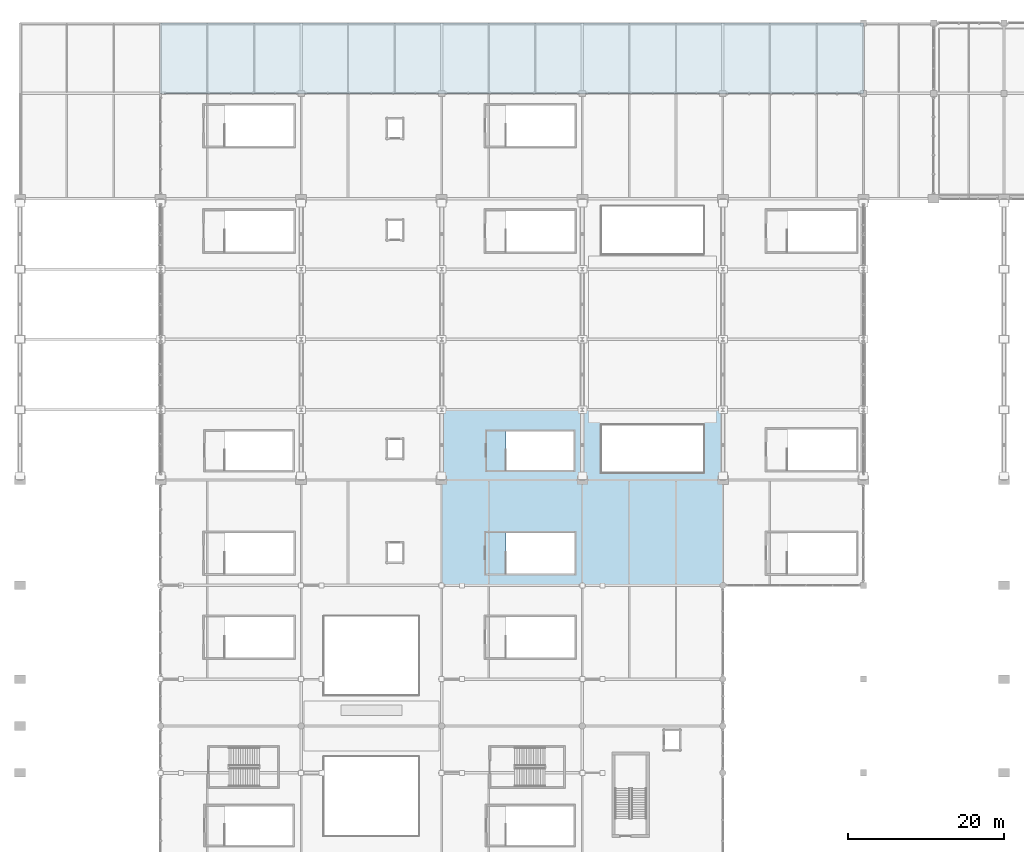
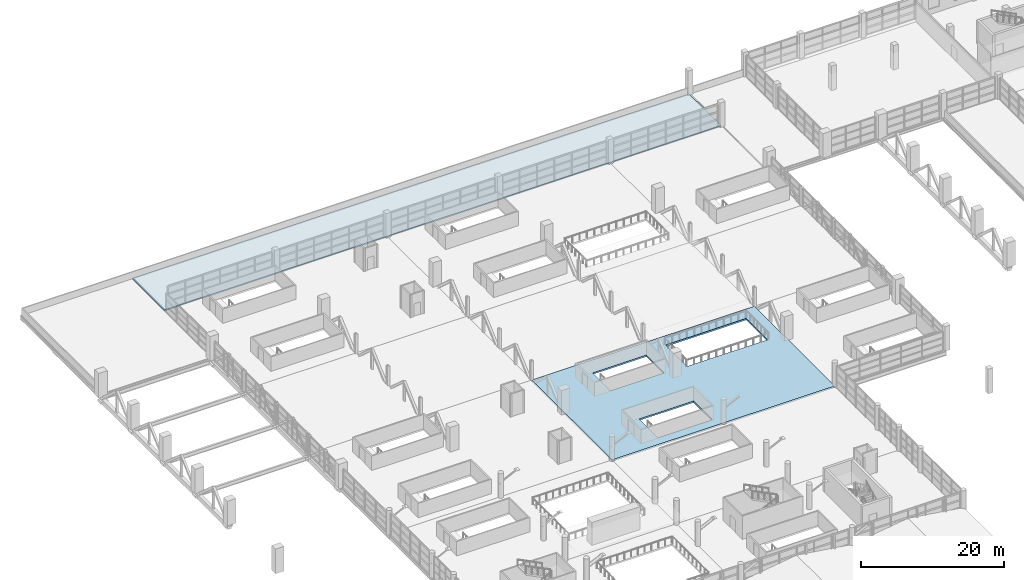
# One storey, part 105 of 136: 2 slabs.
"""IFC4 building model written with IfcOpenShell, lengths in metres."""

from ifc_helpers import new_model, si_unit, direction, frame, origin, place, context, subcontext, project, spatial, polyline, outline, extrude, material, layer, layer_set, type_object, element, save


model = new_model("IFC4")

# Units and contexts
model_context = context("Model", 3, precision=1e-05, world=origin(), true_north=direction((0.0, 1.0)))
body_context = subcontext(model_context, "Body", "Model", "MODEL_VIEW")
ifc_project = project(units=[si_unit("LENGTHUNIT", "METRE"), si_unit("AREAUNIT", "SQUARE_METRE"), si_unit("VOLUMEUNIT", "CUBIC_METRE"), si_unit("PLANEANGLEUNIT", "RADIAN"), si_unit("MASSUNIT", "GRAM", prefix="KILO")], contexts=[model_context])

# Site, building, storey
site_placement = place(None, origin())
site = spatial("IfcSite", under=ifc_project, at=site_placement, CompositionType="ELEMENT")
building_placement = place(site_placement, origin())
building = spatial("IfcBuilding", under=site, at=building_placement, Name="Chuanluo Vaults Station", CompositionType="ELEMENT")
storey_placement = place(building_placement, frame((0.0, 0.0, 6.60009765625)))
storey = spatial("IfcBuildingStorey", under=building, at=storey_placement, Name="L01", CompositionType="ELEMENT", Elevation=6.60009765625)

# Slabs
ifc_material_1 = material(Name="Concrete C40", Category="concrete")
ifc_layer_1 = layer(ifc_material_1, 0.280029296875)
ifc_layer_set_1 = layer_set([ifc_layer_1], Name="Concrete C40")
slab_type_1 = type_object("IfcSlabType", Name="SLB-CON-280", PredefinedType="FLOOR", material=ifc_layer_set_1)
slab_1_placement = place(storey_placement, frame((0.0, 0.0, -0.280029296875)))
element("IfcSlab", 1, at=slab_1_placement, inside=storey, type_object=slab_type_1, Name="L01 OTRK slab 04", PredefinedType="FLOOR", context=body_context, shape_type="SweptSolid", body=[
    extrude(outline(polyline([(54.0, 54.0), (90.0, 54.0), (90.0, 76.5), (54.0, 76.5), (54.0, 54.0)]), holes=[polyline([(62.25390625, 55.5), (71.050048828125, 55.5), (71.050048828125, 60.75), (62.25390625, 60.75), (62.25390625, 55.5)]), polyline([(62.25390625, 68.75), (70.925048828125, 68.75), (70.925048828125, 73.75), (62.25390625, 73.75), (62.25390625, 68.75)]), polyline([(74.5, 68.5), (87.5, 68.5), (87.5, 74.5), (74.5, 74.5), (74.5, 68.5)])]), origin(), (0.0, 0.0, 1.0), 0.280029296875),
])
ifc_material_2 = material(Name="Concrete C40", Category="concrete")
ifc_layer_2 = layer(ifc_material_2, 0.205078125)
ifc_layer_set_2 = layer_set([ifc_layer_2], Name="Concrete C40")
slab_type_2 = type_object("IfcSlabType", Name="SLB-ROOF-205", PredefinedType="ROOF", material=ifc_layer_set_2)
slab_2_placement = place(storey_placement, frame((0.0, 0.0, -0.205078125)))
element("IfcSlab", 2, at=slab_2_placement, inside=storey, type_object=slab_type_2, Name="L01 roof slab N2", PredefinedType="ROOF", context=body_context, shape_type="SweptSolid", body=[
    extrude(outline(polyline([(18.0, 117.0), (108.0, 117.0), (108.0, 126.0), (18.0, 126.0), (18.0, 117.0)])), origin(), (0.0, 0.0, 1.0), 0.205078125),
])

save(model, "model.ifc")
